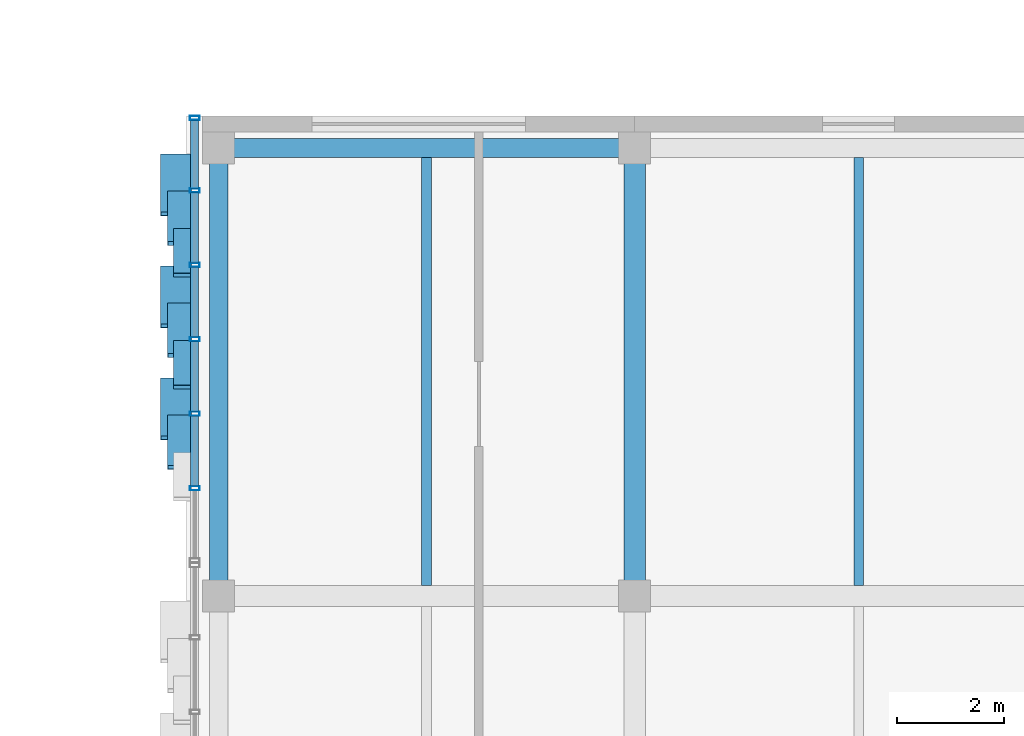
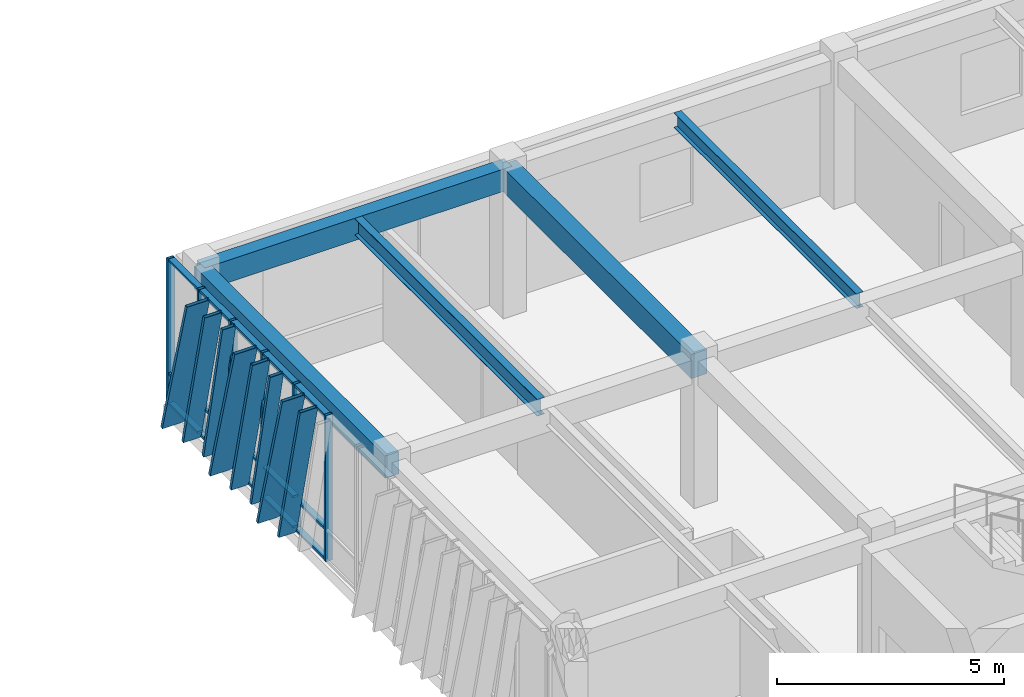
# One storey, part 72 of 127: 29 members, 5 beams, 1 element without a shape of its own.
"""IFC4 building model written with IfcOpenShell, lengths in metres."""

from ifc_helpers import new_model, si_unit, direction, frame, origin, origin_2d, place, context, subcontext, project, spatial, rectangle, hollow_rectangle, i_section, extrude, material, layer, layer_set, material_profile, profile_set, type_object, element, aggregate, save


model = new_model("IFC4")

# Units and contexts
model_context = context("Model", 3, precision=1e-05, world=origin(), true_north=direction((0.0, 1.0)))
body_context = subcontext(model_context, "Body", "Model", "MODEL_VIEW")
ifc_project = project(units=[si_unit("LENGTHUNIT", "METRE"), si_unit("AREAUNIT", "SQUARE_METRE"), si_unit("VOLUMEUNIT", "CUBIC_METRE"), si_unit("PLANEANGLEUNIT", "RADIAN"), si_unit("MASSUNIT", "GRAM", prefix="KILO")], contexts=[model_context])

# Site, building, storey
site_placement = place(None, origin())
site = spatial("IfcSite", under=ifc_project, at=site_placement, CompositionType="ELEMENT")
building_placement = place(site_placement, origin())
building = spatial("IfcBuilding", under=site, at=building_placement, Name="Zayran Congress Hotel", CompositionType="ELEMENT")
storey_placement = place(building_placement, frame((0.0, 0.0, 10.800048828125)))
storey = spatial("IfcBuildingStorey", under=building, at=storey_placement, Name="L02", CompositionType="ELEMENT", Elevation=10.800048828125)

# Beams
ifc_material_1 = material(Name="Concrete C40/50", Category="concrete")
ifc_material_profile_1 = material_profile(ifc_material_1, rectangle(XDim=0.39990234375, YDim=0.64990234375, at=origin_2d()), Name="RC 400x650")
ifc_profile_set_1 = profile_set([ifc_material_profile_1], Name="Concrete C40/50")
beam_type_1 = type_object("IfcBeamType", Name="TP-BM-03", PredefinedType="BEAM", material=ifc_profile_set_1)
beam_1_placement = place(storey_placement, frame((117.60009765625, 100.60009765625, 3.594970703125), z_axis=(0.0, 1.0, 0.0), x_axis=(-1.0, 0.0, 0.0)))
element("IfcBeam", 1, at=beam_1_placement, inside=storey, type_object=beam_type_1, Name="BM-V4-L02-1452", PredefinedType="BEAM", context=body_context, shape_type="SweptSolid", body=[
    extrude(rectangle(XDim=0.39990234375, YDim=0.64990234375, at=origin_2d()), origin(), (0.0, 0.0, 1.0), 8.39990234375),
])
ifc_material_profile_2 = material_profile(ifc_material_1, rectangle(XDim=0.35009765625, YDim=0.60009765625, at=origin_2d()), Name="RC 350x600")
ifc_profile_set_2 = profile_set([ifc_material_profile_2], Name="Concrete C40/50")
beam_type_2 = type_object("IfcBeamType", Name="TP-SP-01", PredefinedType="SPANDREL", material=ifc_profile_set_2)
beam_2_placement = place(storey_placement, frame((109.800048828125, 109.0, 3.619873046875), z_axis=(1.0, 0.0, 0.0), x_axis=(0.0, 1.0, 0.0)))
element("IfcBeam", 2, at=beam_2_placement, inside=storey, type_object=beam_type_2, Name="BM-V4-L02-1436", PredefinedType="SPANDREL", context=body_context, shape_type="SweptSolid", body=[
    extrude(rectangle(XDim=0.35009765625, YDim=0.60009765625, at=origin_2d()), origin(), (0.0, 0.0, 1.0), 7.800048828125),
])
beam_3_placement = place(storey_placement, frame((109.800048828125, 100.60009765625, 3.619873046875), z_axis=(0.0, 1.0, 0.0), x_axis=(-1.0, 0.0, 0.0)))
element("IfcBeam", 3, at=beam_3_placement, inside=storey, type_object=beam_type_2, Name="BM-V4-L02-1446", PredefinedType="SPANDREL", context=body_context, shape_type="SweptSolid", body=[
    extrude(rectangle(XDim=0.35009765625, YDim=0.60009765625, at=origin_2d()), origin(), (0.0, 0.0, 1.0), 8.39990234375),
])
ifc_material_2 = material(Name="Steel S355", Category="steel")
ifc_material_profile_3 = material_profile(ifc_material_2, i_section(OverallWidth=0.18994140625, OverallDepth=0.449951171875, WebThickness=0.009521484375, FlangeThickness=0.0146484375, at=origin_2d()), Name="IPE 450")
ifc_profile_set_3 = profile_set([ifc_material_profile_3], Name="Steel S355")
beam_type_3 = type_object("IfcBeamType", Name="TP-JS-02", PredefinedType="JOIST", material=ifc_profile_set_3)
beam_4_placement = place(storey_placement, frame((113.699951171875, 100.800048828125, 3.695068359375), z_axis=(0.0, 1.0, 0.0), x_axis=(-1.0, 0.0, 0.0)))
element("IfcBeam", 4, at=beam_4_placement, inside=storey, type_object=beam_type_3, Name="JST-V4-L02-1476", PredefinedType="JOIST", context=body_context, shape_type="SweptSolid", body=[
    extrude(i_section(OverallWidth=0.18994140625, OverallDepth=0.449951171875, WebThickness=0.009521484375, FlangeThickness=0.0146484375, at=origin_2d()), origin(), (0.0, 0.0, 1.0), 8.02490234375),
])
ifc_material_profile_4 = material_profile(ifc_material_2, i_section(OverallWidth=0.179931640625, OverallDepth=0.39990234375, WebThickness=0.008544921875, FlangeThickness=0.013427734375, at=origin_2d()), Name="IPE 400")
ifc_profile_set_4 = profile_set([ifc_material_profile_4], Name="Steel S355")
beam_type_4 = type_object("IfcBeamType", Name="TP-JS-03", PredefinedType="JOIST", material=ifc_profile_set_4)
beam_5_placement = place(storey_placement, frame((121.800048828125, 100.800048828125, 3.719970703125), z_axis=(0.0, 1.0, 0.0), x_axis=(-1.0, 0.0, 0.0)))
element("IfcBeam", 5, at=beam_5_placement, inside=storey, type_object=beam_type_4, Name="JST-V4-L02-1482", PredefinedType="JOIST", context=body_context, shape_type="SweptSolid", body=[
    extrude(i_section(OverallWidth=0.179931640625, OverallDepth=0.39990234375, WebThickness=0.008544921875, FlangeThickness=0.013427734375, at=origin_2d()), origin(), (0.0, 0.0, 1.0), 8.02490234375),
])

# Curtain wall, members
ifc_material_3 = material(Name="Anodised aluminium and low-E insulated glass", Category="aluminium")
ifc_layer = layer(ifc_material_3, 0.179931640625)
ifc_layer_set = layer_set([ifc_layer], Name="Anodised aluminium and low-E insulated glass")
curtain_wall_type = type_object("IfcCurtainWallType", Name="CW-V4W-L02-CW-52-8376-3920", PredefinedType="USERDEFINED", material=ifc_layer_set)
curtain_wall_placement = place(storey_placement, origin())
curtain_wall = element("IfcCurtainWall", 6, at=curtain_wall_placement, inside=storey, type_object=curtain_wall_type, Name="CW-V4W-L02-7", ObjectType="CURTAIN WALL", PredefinedType="USERDEFINED")
ifc_material_4 = material(Name="Anodised aluminium framing", Category="aluminium")
ifc_material_profile_5 = material_profile(ifc_material_4, hollow_rectangle(XDim=0.080078125, YDim=0.179931640625, WallThickness=0.0048828125, at=origin_2d()), Name="RHS 180x80x5")
ifc_profile_set_5 = profile_set([ifc_material_profile_5], Name="Anodised aluminium framing")
member_type_1 = type_object("IfcMemberType", Name="TP-CWM-01", PredefinedType="MULLION", material=ifc_profile_set_5)
member_1_placement = place(storey_placement, frame((109.35009765625, 109.56005859375, 0.0), z_axis=(0.0, 0.0, 1.0), x_axis=(0.0, 1.0, 0.0)))
member_1 = element("IfcMember", 7, at=member_1_placement, type_object=member_type_1, Name="CW-V4W-L02-7-M00", PredefinedType="MULLION", context=body_context, shape_type="SweptSolid", body=[
    extrude(hollow_rectangle(XDim=0.080078125, YDim=0.179931640625, WallThickness=0.0048828125, at=origin_2d()), origin(), (0.0, 0.0, 1.0), 3.919921875),
])
member_2_placement = place(storey_placement, frame((109.35009765625, 108.2041015625, 0.0), z_axis=(0.0, 0.0, 1.0), x_axis=(0.0, 1.0, 0.0)))
member_2 = element("IfcMember", 8, at=member_2_placement, type_object=member_type_1, Name="CW-V4W-L02-7-M01", PredefinedType="MULLION", context=body_context, shape_type="SweptSolid", body=[
    extrude(hollow_rectangle(XDim=0.080078125, YDim=0.179931640625, WallThickness=0.0048828125, at=origin_2d()), origin(), (0.0, 0.0, 1.0), 3.919921875),
])
member_3_placement = place(storey_placement, frame((109.35009765625, 106.80810546875, 0.0), z_axis=(0.0, 0.0, 1.0), x_axis=(0.0, 1.0, 0.0)))
member_3 = element("IfcMember", 9, at=member_3_placement, type_object=member_type_1, Name="CW-V4W-L02-7-M02", PredefinedType="MULLION", context=body_context, shape_type="SweptSolid", body=[
    extrude(hollow_rectangle(XDim=0.080078125, YDim=0.179931640625, WallThickness=0.0048828125, at=origin_2d()), origin(), (0.0, 0.0, 1.0), 3.919921875),
])
member_4_placement = place(storey_placement, frame((109.35009765625, 105.412109375, 0.0), z_axis=(0.0, 0.0, 1.0), x_axis=(0.0, 1.0, 0.0)))
member_4 = element("IfcMember", 10, at=member_4_placement, type_object=member_type_1, Name="CW-V4W-L02-7-M03", PredefinedType="MULLION", context=body_context, shape_type="SweptSolid", body=[
    extrude(hollow_rectangle(XDim=0.080078125, YDim=0.179931640625, WallThickness=0.0048828125, at=origin_2d()), origin(), (0.0, 0.0, 1.0), 3.919921875),
])
member_5_placement = place(storey_placement, frame((109.35009765625, 104.01611328125, 0.0), z_axis=(0.0, 0.0, 1.0), x_axis=(0.0, 1.0, 0.0)))
member_5 = element("IfcMember", 11, at=member_5_placement, type_object=member_type_1, Name="CW-V4W-L02-7-M04", PredefinedType="MULLION", context=body_context, shape_type="SweptSolid", body=[
    extrude(hollow_rectangle(XDim=0.080078125, YDim=0.179931640625, WallThickness=0.0048828125, at=origin_2d()), origin(), (0.0, 0.0, 1.0), 3.919921875),
])
member_6_placement = place(storey_placement, frame((109.35009765625, 102.6201171875, 0.0), z_axis=(0.0, 0.0, 1.0), x_axis=(0.0, 1.0, 0.0)))
member_6 = element("IfcMember", 12, at=member_6_placement, type_object=member_type_1, Name="CW-V4W-L02-7-M05", PredefinedType="MULLION", context=body_context, shape_type="SweptSolid", body=[
    extrude(hollow_rectangle(XDim=0.080078125, YDim=0.179931640625, WallThickness=0.0048828125, at=origin_2d()), origin(), (0.0, 0.0, 1.0), 3.919921875),
])
ifc_material_profile_6 = material_profile(ifc_material_4, hollow_rectangle(XDim=0.06005859375, YDim=0.14990234375, WallThickness=0.00390625, at=origin_2d()), Name="RHS 150x60x4")
ifc_profile_set_6 = profile_set([ifc_material_profile_6], Name="Anodised aluminium framing")
member_type_2 = type_object("IfcMemberType", Name="TP-CWT-01", PredefinedType="USERDEFINED", material=ifc_profile_set_6)
member_7_placement = place(storey_placement, frame((109.35009765625, 109.52001953125, 0.030029296875), z_axis=(0.0, -1.0, 0.0), x_axis=(0.0, 0.0, 1.0)))
member_7 = element("IfcMember", 13, at=member_7_placement, type_object=member_type_2, Name="CW-V4W-L02-7-T00-0", ObjectType="TRANSOM", PredefinedType="USERDEFINED", context=body_context, shape_type="SweptSolid", body=[
    extrude(hollow_rectangle(XDim=0.06005859375, YDim=0.14990234375, WallThickness=0.00390625, at=origin_2d()), origin(), (0.0, 0.0, 1.0), 1.276123046875),
])
member_8_placement = place(storey_placement, frame((109.35009765625, 109.52001953125, 0.83984375), z_axis=(0.0, -1.0, 0.0), x_axis=(0.0, 0.0, 1.0)))
member_8 = element("IfcMember", 14, at=member_8_placement, type_object=member_type_2, Name="CW-V4W-L02-7-T00-1", ObjectType="TRANSOM", PredefinedType="USERDEFINED", context=body_context, shape_type="SweptSolid", body=[
    extrude(hollow_rectangle(XDim=0.06005859375, YDim=0.14990234375, WallThickness=0.00390625, at=origin_2d()), origin(), (0.0, 0.0, 1.0), 1.276123046875),
])
member_9_placement = place(storey_placement, frame((109.35009765625, 109.52001953125, 3.889892578125), z_axis=(0.0, -1.0, 0.0), x_axis=(0.0, 0.0, 1.0)))
member_9 = element("IfcMember", 15, at=member_9_placement, type_object=member_type_2, Name="CW-V4W-L02-7-T00-2", ObjectType="TRANSOM", PredefinedType="USERDEFINED", context=body_context, shape_type="SweptSolid", body=[
    extrude(hollow_rectangle(XDim=0.06005859375, YDim=0.14990234375, WallThickness=0.00390625, at=origin_2d()), origin(), (0.0, 0.0, 1.0), 1.276123046875),
])
member_10_placement = place(storey_placement, frame((109.35009765625, 108.1640625, 0.030029296875), z_axis=(0.0, -1.0, 0.0), x_axis=(0.0, 0.0, 1.0)))
member_10 = element("IfcMember", 16, at=member_10_placement, type_object=member_type_2, Name="CW-V4W-L02-7-T01-0", ObjectType="TRANSOM", PredefinedType="USERDEFINED", context=body_context, shape_type="SweptSolid", body=[
    extrude(hollow_rectangle(XDim=0.06005859375, YDim=0.14990234375, WallThickness=0.00390625, at=origin_2d()), origin(), (0.0, 0.0, 1.0), 1.316162109375),
])
member_11_placement = place(storey_placement, frame((109.35009765625, 108.1640625, 0.83984375), z_axis=(0.0, -1.0, 0.0), x_axis=(0.0, 0.0, 1.0)))
member_11 = element("IfcMember", 17, at=member_11_placement, type_object=member_type_2, Name="CW-V4W-L02-7-T01-1", ObjectType="TRANSOM", PredefinedType="USERDEFINED", context=body_context, shape_type="SweptSolid", body=[
    extrude(hollow_rectangle(XDim=0.06005859375, YDim=0.14990234375, WallThickness=0.00390625, at=origin_2d()), origin(), (0.0, 0.0, 1.0), 1.316162109375),
])
member_12_placement = place(storey_placement, frame((109.35009765625, 108.1640625, 3.889892578125), z_axis=(0.0, -1.0, 0.0), x_axis=(0.0, 0.0, 1.0)))
member_12 = element("IfcMember", 18, at=member_12_placement, type_object=member_type_2, Name="CW-V4W-L02-7-T01-2", ObjectType="TRANSOM", PredefinedType="USERDEFINED", context=body_context, shape_type="SweptSolid", body=[
    extrude(hollow_rectangle(XDim=0.06005859375, YDim=0.14990234375, WallThickness=0.00390625, at=origin_2d()), origin(), (0.0, 0.0, 1.0), 1.316162109375),
])
member_13_placement = place(storey_placement, frame((109.35009765625, 106.76806640625, 0.030029296875), z_axis=(0.0, -1.0, 0.0), x_axis=(0.0, 0.0, 1.0)))
member_13 = element("IfcMember", 19, at=member_13_placement, type_object=member_type_2, Name="CW-V4W-L02-7-T02-0", ObjectType="TRANSOM", PredefinedType="USERDEFINED", context=body_context, shape_type="SweptSolid", body=[
    extrude(hollow_rectangle(XDim=0.06005859375, YDim=0.14990234375, WallThickness=0.00390625, at=origin_2d()), origin(), (0.0, 0.0, 1.0), 1.316162109375),
])
member_14_placement = place(storey_placement, frame((109.35009765625, 106.76806640625, 0.83984375), z_axis=(0.0, -1.0, 0.0), x_axis=(0.0, 0.0, 1.0)))
member_14 = element("IfcMember", 20, at=member_14_placement, type_object=member_type_2, Name="CW-V4W-L02-7-T02-1", ObjectType="TRANSOM", PredefinedType="USERDEFINED", context=body_context, shape_type="SweptSolid", body=[
    extrude(hollow_rectangle(XDim=0.06005859375, YDim=0.14990234375, WallThickness=0.00390625, at=origin_2d()), origin(), (0.0, 0.0, 1.0), 1.316162109375),
])
member_15_placement = place(storey_placement, frame((109.35009765625, 106.76806640625, 3.889892578125), z_axis=(0.0, -1.0, 0.0), x_axis=(0.0, 0.0, 1.0)))
member_15 = element("IfcMember", 21, at=member_15_placement, type_object=member_type_2, Name="CW-V4W-L02-7-T02-2", ObjectType="TRANSOM", PredefinedType="USERDEFINED", context=body_context, shape_type="SweptSolid", body=[
    extrude(hollow_rectangle(XDim=0.06005859375, YDim=0.14990234375, WallThickness=0.00390625, at=origin_2d()), origin(), (0.0, 0.0, 1.0), 1.316162109375),
])
member_16_placement = place(storey_placement, frame((109.35009765625, 105.3720703125, 0.030029296875), z_axis=(0.0, -1.0, 0.0), x_axis=(0.0, 0.0, 1.0)))
member_16 = element("IfcMember", 22, at=member_16_placement, type_object=member_type_2, Name="CW-V4W-L02-7-T03-0", ObjectType="TRANSOM", PredefinedType="USERDEFINED", context=body_context, shape_type="SweptSolid", body=[
    extrude(hollow_rectangle(XDim=0.06005859375, YDim=0.14990234375, WallThickness=0.00390625, at=origin_2d()), origin(), (0.0, 0.0, 1.0), 1.316162109375),
])
member_17_placement = place(storey_placement, frame((109.35009765625, 105.3720703125, 0.83984375), z_axis=(0.0, -1.0, 0.0), x_axis=(0.0, 0.0, 1.0)))
member_17 = element("IfcMember", 23, at=member_17_placement, type_object=member_type_2, Name="CW-V4W-L02-7-T03-1", ObjectType="TRANSOM", PredefinedType="USERDEFINED", context=body_context, shape_type="SweptSolid", body=[
    extrude(hollow_rectangle(XDim=0.06005859375, YDim=0.14990234375, WallThickness=0.00390625, at=origin_2d()), origin(), (0.0, 0.0, 1.0), 1.316162109375),
])
member_18_placement = place(storey_placement, frame((109.35009765625, 105.3720703125, 3.889892578125), z_axis=(0.0, -1.0, 0.0), x_axis=(0.0, 0.0, 1.0)))
member_18 = element("IfcMember", 24, at=member_18_placement, type_object=member_type_2, Name="CW-V4W-L02-7-T03-2", ObjectType="TRANSOM", PredefinedType="USERDEFINED", context=body_context, shape_type="SweptSolid", body=[
    extrude(hollow_rectangle(XDim=0.06005859375, YDim=0.14990234375, WallThickness=0.00390625, at=origin_2d()), origin(), (0.0, 0.0, 1.0), 1.316162109375),
])
member_19_placement = place(storey_placement, frame((109.35009765625, 103.97607421875, 0.030029296875), z_axis=(0.0, -1.0, 0.0), x_axis=(0.0, 0.0, 1.0)))
member_19 = element("IfcMember", 25, at=member_19_placement, type_object=member_type_2, Name="CW-V4W-L02-7-T04-0", ObjectType="TRANSOM", PredefinedType="USERDEFINED", context=body_context, shape_type="SweptSolid", body=[
    extrude(hollow_rectangle(XDim=0.06005859375, YDim=0.14990234375, WallThickness=0.00390625, at=origin_2d()), origin(), (0.0, 0.0, 1.0), 1.316162109375),
])
member_20_placement = place(storey_placement, frame((109.35009765625, 103.97607421875, 0.83984375), z_axis=(0.0, -1.0, 0.0), x_axis=(0.0, 0.0, 1.0)))
member_20 = element("IfcMember", 26, at=member_20_placement, type_object=member_type_2, Name="CW-V4W-L02-7-T04-1", ObjectType="TRANSOM", PredefinedType="USERDEFINED", context=body_context, shape_type="SweptSolid", body=[
    extrude(hollow_rectangle(XDim=0.06005859375, YDim=0.14990234375, WallThickness=0.00390625, at=origin_2d()), origin(), (0.0, 0.0, 1.0), 1.316162109375),
])
member_21_placement = place(storey_placement, frame((109.35009765625, 103.97607421875, 3.889892578125), z_axis=(0.0, -1.0, 0.0), x_axis=(0.0, 0.0, 1.0)))
member_21 = element("IfcMember", 27, at=member_21_placement, type_object=member_type_2, Name="CW-V4W-L02-7-T04-2", ObjectType="TRANSOM", PredefinedType="USERDEFINED", context=body_context, shape_type="SweptSolid", body=[
    extrude(hollow_rectangle(XDim=0.06005859375, YDim=0.14990234375, WallThickness=0.00390625, at=origin_2d()), origin(), (0.0, 0.0, 1.0), 1.316162109375),
])
ifc_material_5 = material(Name="Warm bronze anodised aluminium", Category="aluminium")
ifc_material_profile_7 = material_profile(ifc_material_5, hollow_rectangle(XDim=0.080078125, YDim=0.580078125, WallThickness=0.006103515625, at=origin_2d()), Name="RHS 580x80x6")
ifc_profile_set_7 = profile_set([ifc_material_profile_7], Name="Warm bronze anodised aluminium")
member_type_3 = type_object("IfcMemberType", Name="TP-RFN-01", PredefinedType="MULLION", material=ifc_profile_set_7)
member_22_placement = place(storey_placement, frame((109.0, 108.85009765625, 0.0), z_axis=(0.0, -0.267253820088, 0.963626170072), x_axis=(0.0, 0.963626170072, 0.267253820088)))
member_22 = element("IfcMember", 28, at=member_22_placement, type_object=member_type_3, Name="Slanting Reed Mullion CW-52-01", PredefinedType="MULLION", context=body_context, shape_type="SweptSolid", body=[
    extrude(hollow_rectangle(XDim=0.080078125, YDim=0.580078125, WallThickness=0.006103515625, at=origin_2d()), origin(), (0.0, 0.0, 1.0), 4.06787109375),
])
member_23_placement = place(storey_placement, frame((109.0, 106.75, 0.0), z_axis=(0.0, -0.267253820088, 0.963626170072), x_axis=(0.0, 0.963626170072, 0.267253820088)))
member_23 = element("IfcMember", 29, at=member_23_placement, type_object=member_type_3, Name="Slanting Reed Mullion CW-52-04", PredefinedType="MULLION", context=body_context, shape_type="SweptSolid", body=[
    extrude(hollow_rectangle(XDim=0.080078125, YDim=0.580078125, WallThickness=0.006103515625, at=origin_2d()), origin(), (0.0, 0.0, 1.0), 4.06787109375),
])
member_24_placement = place(storey_placement, frame((109.0, 104.64990234375, 0.0), z_axis=(0.0, -0.26719808883, 0.963641624944), x_axis=(0.0, 0.963641624944, 0.26719808883)))
member_24 = element("IfcMember", 30, at=member_24_placement, type_object=member_type_3, Name="Slanting Reed Mullion CW-52-07", PredefinedType="MULLION", context=body_context, shape_type="SweptSolid", body=[
    extrude(hollow_rectangle(XDim=0.080078125, YDim=0.580078125, WallThickness=0.006103515625, at=origin_2d()), origin(), (0.0, 0.0, 1.0), 4.06787109375),
])
ifc_material_profile_8 = material_profile(ifc_material_5, hollow_rectangle(XDim=0.080078125, YDim=0.449951171875, WallThickness=0.006103515625, at=origin_2d()), Name="RHS 450x80x6")
ifc_profile_set_8 = profile_set([ifc_material_profile_8], Name="Warm bronze anodised aluminium")
member_type_4 = type_object("IfcMemberType", Name="TP-RFN-02", PredefinedType="MULLION", material=ifc_profile_set_8)
member_25_placement = place(storey_placement, frame((109.06494140625, 108.14990234375, 0.0), z_axis=(0.0, -0.233405019846, 0.972379605252), x_axis=(0.0, 0.972379605252, 0.233405019846)))
member_25 = element("IfcMember", 31, at=member_25_placement, type_object=member_type_4, Name="Slanting Reed Mullion CW-52-02", PredefinedType="MULLION", context=body_context, shape_type="SweptSolid", body=[
    extrude(hollow_rectangle(XDim=0.080078125, YDim=0.449951171875, WallThickness=0.006103515625, at=origin_2d()), origin(), (0.0, 0.0, 1.0), 4.03125),
])
member_26_placement = place(storey_placement, frame((109.06494140625, 106.050048828125, 0.0), z_axis=(0.0, -0.233462281113, 0.972365858768), x_axis=(0.0, 0.972365858768, 0.233462281113)))
member_26 = element("IfcMember", 32, at=member_26_placement, type_object=member_type_4, Name="Slanting Reed Mullion CW-52-05", PredefinedType="MULLION", context=body_context, shape_type="SweptSolid", body=[
    extrude(hollow_rectangle(XDim=0.080078125, YDim=0.449951171875, WallThickness=0.006103515625, at=origin_2d()), origin(), (0.0, 0.0, 1.0), 4.03125),
])
member_27_placement = place(storey_placement, frame((109.06494140625, 103.949951171875, 0.0), z_axis=(0.0, -0.233462281113, 0.972365858768), x_axis=(0.0, 0.972365858768, 0.233462281113)))
member_27 = element("IfcMember", 33, at=member_27_placement, type_object=member_type_4, Name="Slanting Reed Mullion CW-52-08", PredefinedType="MULLION", context=body_context, shape_type="SweptSolid", body=[
    extrude(hollow_rectangle(XDim=0.080078125, YDim=0.449951171875, WallThickness=0.006103515625, at=origin_2d()), origin(), (0.0, 0.0, 1.0), 4.03125),
])
ifc_material_profile_9 = material_profile(ifc_material_5, hollow_rectangle(XDim=0.080078125, YDim=0.340087890625, WallThickness=0.006103515625, at=origin_2d()), Name="RHS 340x80x6")
ifc_profile_set_9 = profile_set([ifc_material_profile_9], Name="Warm bronze anodised aluminium")
member_type_5 = type_object("IfcMemberType", Name="TP-RFN-03", PredefinedType="MULLION", material=ifc_profile_set_9)
member_28_placement = place(storey_placement, frame((109.1201171875, 107.449951171875, 0.0), z_axis=(0.0, -0.207922873001, 0.978145223821), x_axis=(0.0, 0.978145223821, 0.207922873001)))
member_28 = element("IfcMember", 34, at=member_28_placement, type_object=member_type_5, Name="Slanting Reed Mullion CW-52-03", PredefinedType="MULLION", context=body_context, shape_type="SweptSolid", body=[
    extrude(hollow_rectangle(XDim=0.080078125, YDim=0.340087890625, WallThickness=0.006103515625, at=origin_2d()), origin(), (0.0, 0.0, 1.0), 4.007568359375),
])
member_29_placement = place(storey_placement, frame((109.1201171875, 105.35009765625, 0.0), z_axis=(0.0, -0.207922873001, 0.978145223821), x_axis=(0.0, 0.978145223821, 0.207922873001)))
member_29 = element("IfcMember", 35, at=member_29_placement, type_object=member_type_5, Name="Slanting Reed Mullion CW-52-06", PredefinedType="MULLION", context=body_context, shape_type="SweptSolid", body=[
    extrude(hollow_rectangle(XDim=0.080078125, YDim=0.340087890625, WallThickness=0.006103515625, at=origin_2d()), origin(), (0.0, 0.0, 1.0), 4.007568359375),
])
aggregate(curtain_wall, [member_1, member_2, member_3, member_4, member_5, member_6, member_7, member_8, member_9, member_10, member_11, member_12, member_13, member_14, member_15, member_16, member_17, member_18, member_19, member_20, member_21, member_22, member_25, member_28, member_23, member_26, member_29, member_24, member_27])

save(model, "model.ifc")
